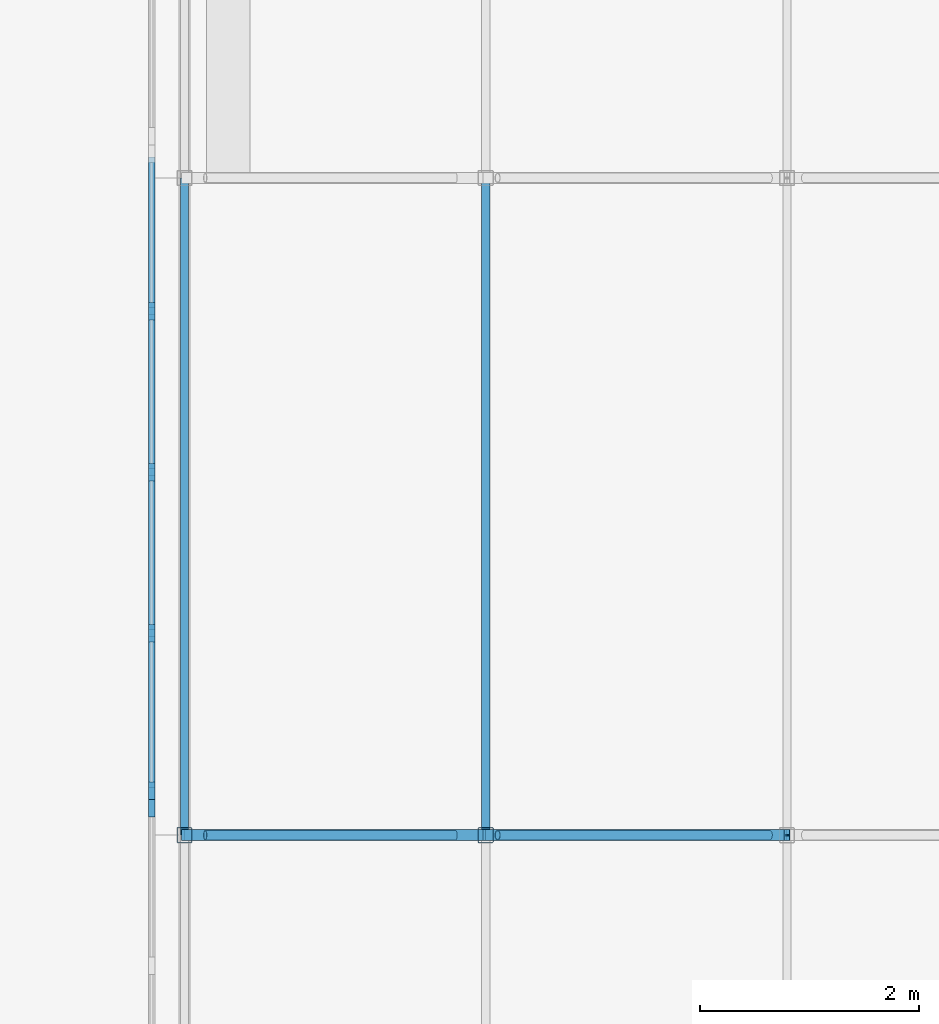
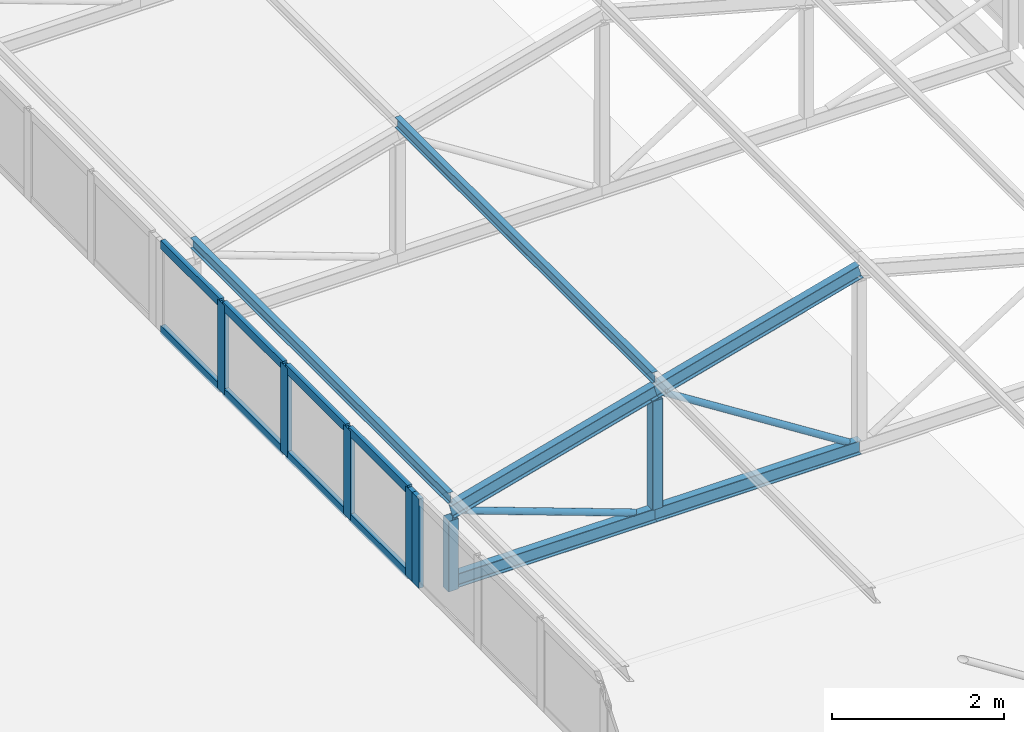
# One storey, part 7 of 94: 23 members, 2 elements without a shape of their own.
"""IFC4 building model written with IfcOpenShell, lengths in metres."""

from ifc_helpers import new_model, si_unit, direction, frame, origin, origin_2d, place, context, subcontext, project, spatial, rectangle, hollow_rectangle, hollow_circle, i_section, extrude, material, layer, layer_set, material_profile, profile_set, type_object, element, aggregate, save


model = new_model("IFC4")

# Units and contexts
model_context = context("Model", 3, precision=1e-05, world=origin(), true_north=direction((0.0, 1.0)))
body_context = subcontext(model_context, "Body", "Model", "MODEL_VIEW")
ifc_project = project(units=[si_unit("LENGTHUNIT", "METRE"), si_unit("AREAUNIT", "SQUARE_METRE"), si_unit("VOLUMEUNIT", "CUBIC_METRE"), si_unit("PLANEANGLEUNIT", "RADIAN"), si_unit("MASSUNIT", "GRAM", prefix="KILO")], contexts=[model_context])

# Site, building, storey
site_placement = place(None, origin())
site = spatial("IfcSite", under=ifc_project, at=site_placement, CompositionType="ELEMENT")
building_placement = place(site_placement, origin())
building = spatial("IfcBuilding", under=site, at=building_placement, Name="Lilac Gate Convention Centre", CompositionType="ELEMENT")
storey_placement = place(building_placement, frame((0.0, 0.0, 21.0)))
storey = spatial("IfcBuildingStorey", under=building, at=storey_placement, Name="L04", CompositionType="ELEMENT", Elevation=21.0)

# Curtain wall, member
ifc_material_1 = material(Name="Aluminium framed double glazing", Category="aluminium")
ifc_layer = layer(ifc_material_1, 0.199951171875)
ifc_layer_set = layer_set([ifc_layer], Name="Aluminium framed double glazing")
curtain_wall_type = type_object("IfcCurtainWallType", Name="Unitised curtain wall 1500", PredefinedType="NOTDEFINED", material=ifc_layer_set)
curtain_wall_1_placement = place(storey_placement, origin())
curtain_wall_1 = element("IfcCurtainWall", 1, at=curtain_wall_1_placement, inside=storey, type_object=curtain_wall_type, Name="Lantern clerestory W 3", PredefinedType="NOTDEFINED")
ifc_material_2 = material(Name="Aluminium alloy 6063", Category="aluminium")
ifc_material_profile_1 = material_profile(ifc_material_2, rectangle(XDim=0.06005859375, YDim=0.159912109375, at=origin_2d()), Name="Curtain wall mullion 60 x 160")
ifc_profile_set_1 = profile_set([ifc_material_profile_1], Name="Aluminium alloy 6063")
member_type_1 = type_object("IfcMemberType", Name="Curtain wall mullion 60 x 160", PredefinedType="MULLION", material=ifc_profile_set_1)
member_1_placement = place(storey_placement, frame((17.300048828125, 48.244873046875, 0.0), z_axis=(0.0, 0.0, 1.0), x_axis=(-1.0, 0.0, 0.0)))
member_1 = element("IfcMember", 2, at=member_1_placement, type_object=member_type_1, Name="CW mullion 5", PredefinedType="MULLION", context=body_context, shape_type="SweptSolid", body=[
    extrude(rectangle(XDim=0.06005859375, YDim=0.159912109375, at=origin_2d()), origin(), (0.0, 0.0, 1.0), 1.272216796875),
])
aggregate(curtain_wall_1, [member_1])

# Curtain wall, members
curtain_wall_2_placement = place(storey_placement, origin())
curtain_wall_2 = element("IfcCurtainWall", 3, at=curtain_wall_2_placement, inside=storey, type_object=curtain_wall_type, Name="Lantern clerestory W 4", PredefinedType="NOTDEFINED")
member_2_placement = place(storey_placement, frame((17.300048828125, 48.405029296875, 0.0), z_axis=(0.0, 0.0, 1.0), x_axis=(-1.0, 0.0, 0.0)))
member_2 = element("IfcMember", 4, at=member_2_placement, type_object=member_type_1, Name="CW mullion 1", PredefinedType="MULLION", context=body_context, shape_type="SweptSolid", body=[
    extrude(rectangle(XDim=0.06005859375, YDim=0.159912109375, at=origin_2d()), origin(), (0.0, 0.0, 1.0), 1.272216796875),
])
member_3_placement = place(storey_placement, frame((17.300048828125, 49.84375, 0.0), z_axis=(0.0, 0.0, 1.0), x_axis=(-1.0, 0.0, 0.0)))
member_3 = element("IfcMember", 5, at=member_3_placement, type_object=member_type_1, Name="CW mullion 2", PredefinedType="MULLION", context=body_context, shape_type="SweptSolid", body=[
    extrude(rectangle(XDim=0.06005859375, YDim=0.159912109375, at=origin_2d()), origin(), (0.0, 0.0, 1.0), 1.272216796875),
])
member_4_placement = place(storey_placement, frame((17.300048828125, 51.3125, 0.0), z_axis=(0.0, 0.0, 1.0), x_axis=(-1.0, 0.0, 0.0)))
member_4 = element("IfcMember", 6, at=member_4_placement, type_object=member_type_1, Name="CW mullion 3", PredefinedType="MULLION", context=body_context, shape_type="SweptSolid", body=[
    extrude(rectangle(XDim=0.06005859375, YDim=0.159912109375, at=origin_2d()), origin(), (0.0, 0.0, 1.0), 1.272216796875),
])
member_5_placement = place(storey_placement, frame((17.300048828125, 52.78125, 0.0), z_axis=(0.0, 0.0, 1.0), x_axis=(-1.0, 0.0, 0.0)))
member_5 = element("IfcMember", 7, at=member_5_placement, type_object=member_type_1, Name="CW mullion 4", PredefinedType="MULLION", context=body_context, shape_type="SweptSolid", body=[
    extrude(rectangle(XDim=0.06005859375, YDim=0.159912109375, at=origin_2d()), origin(), (0.0, 0.0, 1.0), 1.272216796875),
])
ifc_material_profile_2 = material_profile(ifc_material_2, rectangle(XDim=0.06005859375, YDim=0.1201171875, at=origin_2d()), Name="Curtain wall transom 60 x 120")
ifc_profile_set_2 = profile_set([ifc_material_profile_2], Name="Aluminium alloy 6063")
member_type_2 = type_object("IfcMemberType", Name="Curtain wall transom 60 x 120", PredefinedType="USERDEFINED", material=ifc_profile_set_2)
member_6_placement = place(storey_placement, frame((17.300048828125, 48.43505859375, 0.030029296875), z_axis=(0.0, 1.0, 0.0), x_axis=(-1.0, 0.0, 0.0)))
member_6 = element("IfcMember", 8, at=member_6_placement, type_object=member_type_2, Name="CW transom 1.1", ObjectType="TRANSOM", PredefinedType="USERDEFINED", context=body_context, shape_type="SweptSolid", body=[
    extrude(rectangle(XDim=0.06005859375, YDim=0.1201171875, at=origin_2d()), origin(), (0.0, 0.0, 1.0), 1.378662109375),
])
member_7_placement = place(storey_placement, frame((17.300048828125, 48.43505859375, 1.2421875), z_axis=(0.0, 1.0, 0.0), x_axis=(-1.0, 0.0, 0.0)))
member_7 = element("IfcMember", 9, at=member_7_placement, type_object=member_type_2, Name="CW transom 1.2", ObjectType="TRANSOM", PredefinedType="USERDEFINED", context=body_context, shape_type="SweptSolid", body=[
    extrude(rectangle(XDim=0.06005859375, YDim=0.1201171875, at=origin_2d()), origin(), (0.0, 0.0, 1.0), 1.378662109375),
])
member_8_placement = place(storey_placement, frame((17.300048828125, 49.873779296875, 0.030029296875), z_axis=(0.0, 1.0, 0.0), x_axis=(-1.0, 0.0, 0.0)))
member_8 = element("IfcMember", 10, at=member_8_placement, type_object=member_type_2, Name="CW transom 2.1", ObjectType="TRANSOM", PredefinedType="USERDEFINED", context=body_context, shape_type="SweptSolid", body=[
    extrude(rectangle(XDim=0.06005859375, YDim=0.1201171875, at=origin_2d()), origin(), (0.0, 0.0, 1.0), 1.40869140625),
])
member_9_placement = place(storey_placement, frame((17.300048828125, 49.873779296875, 1.2421875), z_axis=(0.0, 1.0, 0.0), x_axis=(-1.0, 0.0, 0.0)))
member_9 = element("IfcMember", 11, at=member_9_placement, type_object=member_type_2, Name="CW transom 2.2", ObjectType="TRANSOM", PredefinedType="USERDEFINED", context=body_context, shape_type="SweptSolid", body=[
    extrude(rectangle(XDim=0.06005859375, YDim=0.1201171875, at=origin_2d()), origin(), (0.0, 0.0, 1.0), 1.40869140625),
])
member_10_placement = place(storey_placement, frame((17.300048828125, 51.342529296875, 0.030029296875), z_axis=(0.0, 1.0, 0.0), x_axis=(-1.0, 0.0, 0.0)))
member_10 = element("IfcMember", 12, at=member_10_placement, type_object=member_type_2, Name="CW transom 3.1", ObjectType="TRANSOM", PredefinedType="USERDEFINED", context=body_context, shape_type="SweptSolid", body=[
    extrude(rectangle(XDim=0.06005859375, YDim=0.1201171875, at=origin_2d()), origin(), (0.0, 0.0, 1.0), 1.40869140625),
])
member_11_placement = place(storey_placement, frame((17.300048828125, 51.342529296875, 1.2421875), z_axis=(0.0, 1.0, 0.0), x_axis=(-1.0, 0.0, 0.0)))
member_11 = element("IfcMember", 13, at=member_11_placement, type_object=member_type_2, Name="CW transom 3.2", ObjectType="TRANSOM", PredefinedType="USERDEFINED", context=body_context, shape_type="SweptSolid", body=[
    extrude(rectangle(XDim=0.06005859375, YDim=0.1201171875, at=origin_2d()), origin(), (0.0, 0.0, 1.0), 1.40869140625),
])
member_12_placement = place(storey_placement, frame((17.300048828125, 52.811279296875, 0.030029296875), z_axis=(0.0, 1.0, 0.0), x_axis=(-1.0, 0.0, 0.0)))
member_12 = element("IfcMember", 14, at=member_12_placement, type_object=member_type_2, Name="CW transom 4.1", ObjectType="TRANSOM", PredefinedType="USERDEFINED", context=body_context, shape_type="SweptSolid", body=[
    extrude(rectangle(XDim=0.06005859375, YDim=0.1201171875, at=origin_2d()), origin(), (0.0, 0.0, 1.0), 1.378662109375),
])
member_13_placement = place(storey_placement, frame((17.300048828125, 52.811279296875, 1.2421875), z_axis=(0.0, 1.0, 0.0), x_axis=(-1.0, 0.0, 0.0)))
member_13 = element("IfcMember", 15, at=member_13_placement, type_object=member_type_2, Name="CW transom 4.2", ObjectType="TRANSOM", PredefinedType="USERDEFINED", context=body_context, shape_type="SweptSolid", body=[
    extrude(rectangle(XDim=0.06005859375, YDim=0.1201171875, at=origin_2d()), origin(), (0.0, 0.0, 1.0), 1.378662109375),
])
aggregate(curtain_wall_2, [member_2, member_3, member_4, member_5, member_6, member_7, member_8, member_9, member_10, member_11, member_12, member_13])

# Members
ifc_material_3 = material(Name="Steel Q355B", Category="steel")
ifc_material_profile_3 = material_profile(ifc_material_3, i_section(OverallWidth=0.10009765625, OverallDepth=0.199951171875, WebThickness=0.005615234375, FlangeThickness=0.008056640625, FilletRadius=0.008056640625, at=origin_2d()), Name="HN200x100x5.5x8")
ifc_profile_set_3 = profile_set([ifc_material_profile_3], Name="Steel Q355B")
member_type_3 = type_object("IfcMemberType", Name="Lantern bottom chord HN200x100x5.5x8", PredefinedType="CHORD", material=ifc_profile_set_3)
for number, where, z_axis, x_axis, name in (
    (16, (17.60009765625, 48.0, 0.10009765625), (1.0, 0.0, 0.0), (0.0, 1.0, 0.0), "LB1 lantern truss 4 bottom chord 1"),
    (17, (20.35009765625, 48.0, 0.10009765625), (1.0, 0.0, 0.0), (0.0, 1.0, 0.0), "LB1 lantern truss 4 bottom chord 2"),
):
    element("IfcMember", number, at=place(storey_placement, frame(where, z_axis=z_axis, x_axis=x_axis)), inside=storey, type_object=member_type_3, Name=name, PredefinedType="CHORD", context=body_context, shape_type="SweptSolid", body=[
        extrude(i_section(OverallWidth=0.10009765625, OverallDepth=0.199951171875, WebThickness=0.005615234375, FlangeThickness=0.008056640625, FilletRadius=0.008056640625, at=origin_2d()), origin(), (0.0, 0.0, 1.0), 2.75),
    ])
ifc_material_profile_4 = material_profile(ifc_material_3, hollow_circle(Radius=0.04443359375, WallThickness=0.0048828125, at=origin_2d()), Name="CHS88.9x5")
ifc_profile_set_4 = profile_set([ifc_material_profile_4], Name="Steel Q355B")
member_type_4 = type_object("IfcMemberType", Name="Lantern diagonal CHS88.9x5", PredefinedType="BRACE", material=ifc_profile_set_4)
member_14_placement = place(storey_placement, frame((17.789794921875, 48.0, 1.031005859375), z_axis=(0.939781696917, 0.0, -0.341775309434), x_axis=(0.0, 1.0, 0.0)))
element("IfcMember", 18, at=member_14_placement, inside=storey, type_object=member_type_4, Name="LW1 lantern truss 4 diagonal 1", PredefinedType="BRACE", context=body_context, shape_type="SweptSolid", body=[
    extrude(hollow_circle(Radius=0.04443359375, WallThickness=0.0048828125, at=origin_2d()), origin(), (0.0, 0.0, 1.0), 2.431640625),
])
member_15_placement = place(storey_placement, frame((20.45849609375, 48.0, 1.781005859375), z_axis=(0.843647832412, 0.0, -0.536896949951), x_axis=(0.0, 1.0, 0.0)))
element("IfcMember", 19, at=member_15_placement, inside=storey, type_object=member_type_4, Name="LW1 lantern truss 4 diagonal 2", PredefinedType="BRACE", context=body_context, shape_type="SweptSolid", body=[
    extrude(hollow_circle(Radius=0.04443359375, WallThickness=0.0048828125, at=origin_2d()), origin(), (0.0, 0.0, 1.0), 2.94482421875),
])
ifc_material_profile_5 = material_profile(ifc_material_3, hollow_rectangle(XDim=0.139892578125, YDim=0.139892578125, WallThickness=0.0048828125, InnerFilletRadius=0.0048828125, OuterFilletRadius=0.010009765625, at=origin_2d()), Name="SHS140x140x5")
ifc_profile_set_5 = profile_set([ifc_material_profile_5], Name="Steel Q355B")
member_type_5 = type_object("IfcMemberType", Name="Lantern post SHS140x140x5", PredefinedType="STRUT", material=ifc_profile_set_5)
member_16_placement = place(storey_placement, frame((17.60009765625, 48.0, 0.0), z_axis=(0.0, 0.0, 1.0), x_axis=(1.0, 0.0, 0.0)))
element("IfcMember", 20, at=member_16_placement, inside=storey, type_object=member_type_5, Name="LV1 lantern truss 4 post 1", PredefinedType="STRUT", context=body_context, shape_type="SweptSolid", body=[
    extrude(hollow_rectangle(XDim=0.139892578125, YDim=0.139892578125, WallThickness=0.0048828125, InnerFilletRadius=0.0048828125, OuterFilletRadius=0.010009765625, at=origin_2d()), origin(), (0.0, 0.0, 1.0), 1.001953125),
])
member_17_placement = place(storey_placement, frame((20.35009765625, 48.0, 0.199951171875), z_axis=(0.0, 0.0, 1.0), x_axis=(1.0, 0.0, 0.0)))
element("IfcMember", 21, at=member_17_placement, inside=storey, type_object=member_type_5, Name="LV1 lantern truss 4 post 2", PredefinedType="STRUT", context=body_context, shape_type="SweptSolid", body=[
    extrude(hollow_rectangle(XDim=0.139892578125, YDim=0.139892578125, WallThickness=0.0048828125, InnerFilletRadius=0.0048828125, OuterFilletRadius=0.010009765625, at=origin_2d()), origin(), (0.0, 0.0, 1.0), 1.546142578125),
])
ifc_material_profile_6 = material_profile(ifc_material_3, i_section(OverallWidth=0.074951171875, OverallDepth=0.14990234375, WebThickness=0.0048828125, FlangeThickness=0.007080078125, FilletRadius=0.008056640625, at=origin_2d()), Name="HN150x75x5x7")
ifc_profile_set_6 = profile_set([ifc_material_profile_6], Name="Steel Q355B")
member_type_6 = type_object("IfcMemberType", Name="Lantern purlin HN150x75x5x7", PredefinedType="PURLIN", material=ifc_profile_set_6)
for number, where, z_axis, x_axis, name in (
    (22, (17.60009765625, 48.0, 1.279052734375), (0.0, 1.0, 0.0), (-1.0, 0.0, 0.0), "LP1 lantern purlin bay 4 line 1"),
    (23, (20.35009765625, 48.0, 2.029052734375), (0.0, 1.0, 0.0), (-1.0, 0.0, 0.0), "LP1 lantern purlin bay 4 line 2"),
):
    element("IfcMember", number, at=place(storey_placement, frame(where, z_axis=z_axis, x_axis=x_axis)), inside=storey, type_object=member_type_6, Name=name, PredefinedType="PURLIN", context=body_context, shape_type="SweptSolid", body=[
        extrude(i_section(OverallWidth=0.074951171875, OverallDepth=0.14990234375, WebThickness=0.0048828125, FlangeThickness=0.007080078125, FilletRadius=0.008056640625, at=origin_2d()), origin(), (0.0, 0.0, 1.0), 6.0),
    ])
ifc_material_profile_7 = material_profile(ifc_material_3, i_section(OverallWidth=0.10009765625, OverallDepth=0.199951171875, WebThickness=0.005615234375, FlangeThickness=0.008056640625, FilletRadius=0.008056640625, at=origin_2d()), Name="HN200x100x5.5x8")
ifc_profile_set_7 = profile_set([ifc_material_profile_7], Name="Steel Q355B")
member_type_7 = type_object("IfcMemberType", Name="Lantern top chord HN200x100x5.5x8", PredefinedType="CHORD", material=ifc_profile_set_7)
for number, where, z_axis, x_axis, name in (
    (24, (17.60009765625, 48.0, 1.10009765625), (0.964763821238, 0.0, 0.263117405792), (0.0, 1.0, 0.0), "LT1 lantern truss 4 top chord 1"),
    (25, (20.35009765625, 48.0, 1.85009765625), (0.964763821238, 0.0, 0.263117405792), (0.0, 1.0, 0.0), "LT1 lantern truss 4 top chord 2"),
):
    element("IfcMember", number, at=place(storey_placement, frame(where, z_axis=z_axis, x_axis=x_axis)), inside=storey, type_object=member_type_7, Name=name, PredefinedType="CHORD", context=body_context, shape_type="SweptSolid", body=[
        extrude(i_section(OverallWidth=0.10009765625, OverallDepth=0.199951171875, WebThickness=0.005615234375, FlangeThickness=0.008056640625, FilletRadius=0.008056640625, at=origin_2d()), origin(), (0.0, 0.0, 1.0), 2.850341796875),
    ])

save(model, "model.ifc")
